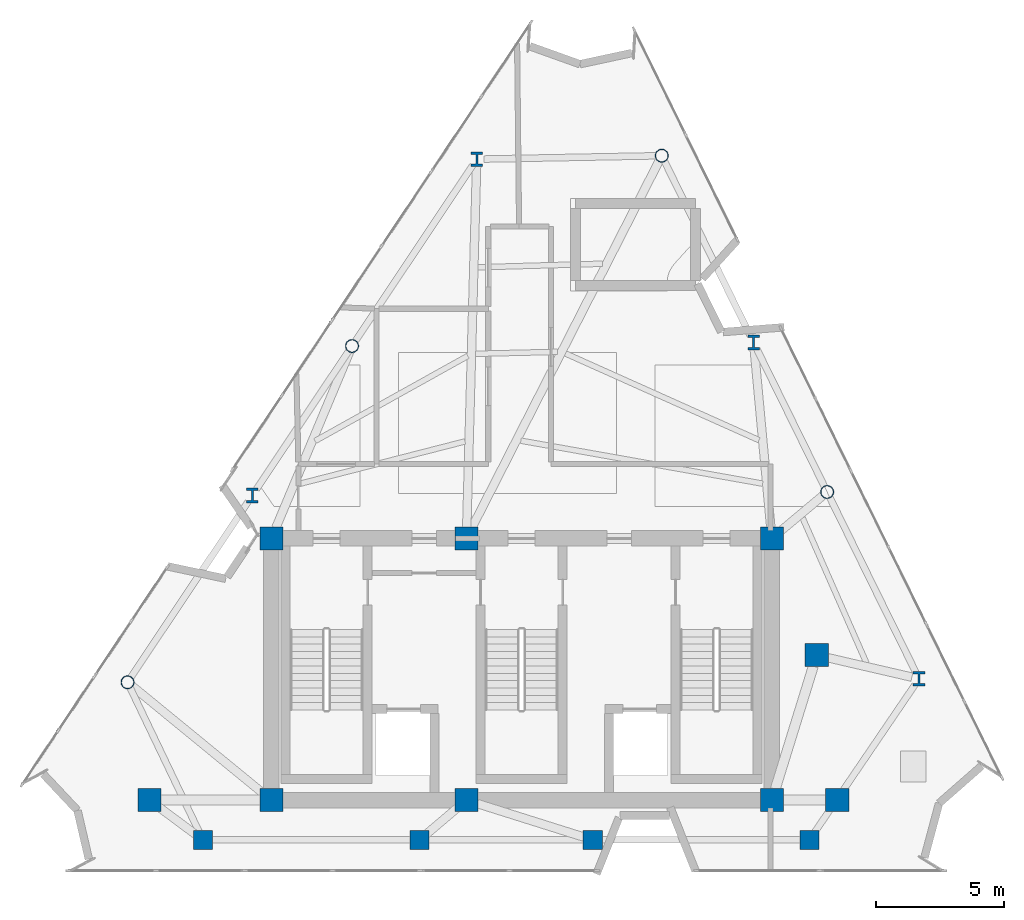
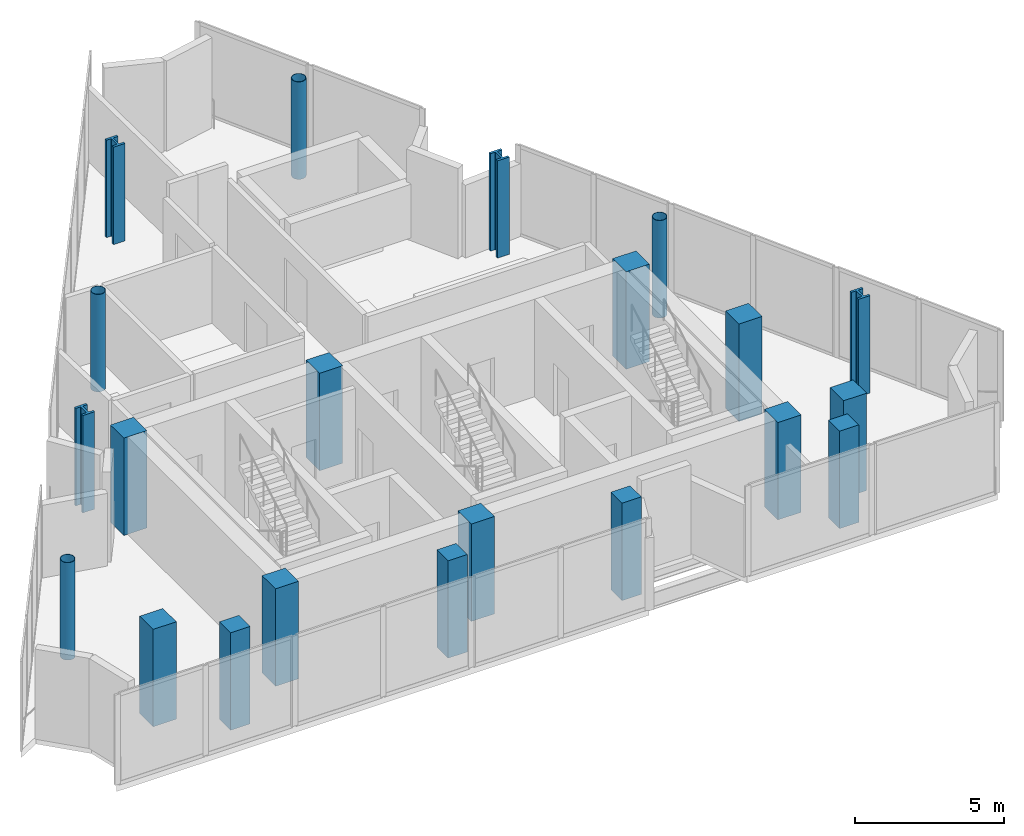
# One storey, part 1 of 9: 21 columns.
"""IFC4 building model written with IfcOpenShell, lengths in metres."""

from ifc_helpers import new_model, si_unit, direction, frame, origin, origin_2d, place, context, subcontext, project, spatial, rectangle, hollow_circle, i_section, extrude, material, material_profile, profile_set, type_object, element, save


model = new_model("IFC4")

# Units and contexts
model_context = context("Model", 3, precision=1e-05, world=origin(), true_north=direction((0.0, 1.0)))
body_context = subcontext(model_context, "Body", "Model", "MODEL_VIEW")
ifc_project = project(units=[si_unit("LENGTHUNIT", "METRE"), si_unit("AREAUNIT", "SQUARE_METRE"), si_unit("VOLUMEUNIT", "CUBIC_METRE"), si_unit("PLANEANGLEUNIT", "RADIAN"), si_unit("MASSUNIT", "GRAM", prefix="KILO")], contexts=[model_context])

# Site, building, storey
site_placement = place(None, origin())
site = spatial("IfcSite", under=ifc_project, at=site_placement, CompositionType="ELEMENT")
building_placement = place(site_placement, origin())
building = spatial("IfcBuilding", under=site, at=building_placement, Name="Almagre Mirador Tower", CompositionType="ELEMENT")
storey_placement = place(building_placement, frame((0.0, 0.0, 306.5)))
storey = spatial("IfcBuildingStorey", under=building, at=storey_placement, Name="L79", CompositionType="ELEMENT", Elevation=306.5)

# Columns
ifc_material_1 = material(Name="Concrete C60/75", Category="concrete")
ifc_material_profile_1 = material_profile(ifc_material_1, rectangle(XDim=0.75, YDim=0.75, at=origin_2d()), Name="RC750X750")
ifc_profile_set_1 = profile_set([ifc_material_profile_1], Name="Concrete C60/75")
column_type_1 = type_object("IfcColumnType", Name="COL-RC750", PredefinedType="COLUMN", material=ifc_profile_set_1)
for number, where, z_axis, x_axis, name in (
    (1, (24.884033203125, 3.0, 0.0), (0.0, 0.0, 1.0), (1.0, 0.0, 0.0), "L79 perimeter column PC01"),
    (2, (33.323974609375, 3.0, 0.0), (0.0, 0.0, 1.0), (1.0, 0.0, 0.0), "L79 perimeter column PC02"),
    (3, (40.075927734375, 3.0, 0.0), (0.0, 0.0, 1.0), (1.0, 0.0, 0.0), "L79 perimeter column PC03"),
    (4, (48.51611328125, 3.0, 0.0), (0.0, 0.0, 1.0), (1.0, 0.0, 0.0), "L79 perimeter column PC04"),
):
    element("IfcColumn", number, at=place(storey_placement, frame(where, z_axis=z_axis, x_axis=x_axis)), inside=storey, type_object=column_type_1, Name=name, PredefinedType="COLUMN", context=body_context, shape_type="SweptSolid", body=[
        extrude(rectangle(XDim=0.75, YDim=0.75, at=origin_2d()), origin(), (0.0, 0.0, 1.0), 4.0),
    ])
ifc_material_2 = material(Name="Concrete C60/75", Category="concrete")
ifc_material_profile_2 = material_profile(ifc_material_2, rectangle(XDim=0.89990234375, YDim=0.89990234375, at=origin_2d()), Name="RC900X900")
ifc_profile_set_2 = profile_set([ifc_material_profile_2], Name="Concrete C60/75")
column_type_2 = type_object("IfcColumnType", Name="COL-RC900", PredefinedType="COLUMN", material=ifc_profile_set_2)
for number, where, z_axis, x_axis, name in (
    (5, (27.550048828125, 4.550048828125, 0.0), (0.0, 0.0, 1.0), (1.0, 0.0, 0.0), "L79 core spine column CC1"),
    (6, (35.14990234375, 4.550048828125, 0.0), (0.0, 0.0, 1.0), (1.0, 0.0, 0.0), "L79 core spine column CC2"),
    (7, (47.050048828125, 4.550048828125, 0.0), (0.0, 0.0, 1.0), (1.0, 0.0, 0.0), "L79 core spine column CC3"),
    (8, (27.550048828125, 14.75, 0.0), (0.0, 0.0, 1.0), (1.0, 0.0, 0.0), "L79 core spine column CC4"),
    (9, (35.14990234375, 14.75, 0.0), (0.0, 0.0, 1.0), (1.0, 0.0, 0.0), "L79 core spine column CC5"),
    (10, (47.050048828125, 14.75, 0.0), (0.0, 0.0, 1.0), (1.0, 0.0, 0.0), "L79 core spine column CC6"),
    (11, (22.800048828125, 4.550048828125, 0.0), (0.0, 0.0, 1.0), (1.0, 0.0, 0.0), "L79 interior transfer column MC1"),
    (12, (49.60009765625, 4.550048828125, 0.0), (0.0, 0.0, 1.0), (1.0, 0.0, 0.0), "L79 interior transfer column MC2"),
    (13, (48.800048828125, 10.199951171875, 0.0), (0.0, 0.0, 1.0), (1.0, 0.0, 0.0), "L79 interior transfer column MC3"),
):
    element("IfcColumn", number, at=place(storey_placement, frame(where, z_axis=z_axis, x_axis=x_axis)), inside=storey, type_object=column_type_2, Name=name, PredefinedType="COLUMN", context=body_context, shape_type="SweptSolid", body=[
        extrude(rectangle(XDim=0.89990234375, YDim=0.89990234375, at=origin_2d()), origin(), (0.0, 0.0, 1.0), 4.0),
    ])
ifc_material_3 = material(Name="Steel ASTM A500 Grade C", Category="steel")
ifc_material_profile_3 = material_profile(ifc_material_3, hollow_circle(Radius=0.25390625, WallThickness=0.01611328125, at=origin_2d()), Name="CHS508X16")
ifc_profile_set_3 = profile_set([ifc_material_profile_3], Name="Steel ASTM A500 Grade C")
column_type_3 = type_object("IfcColumnType", Name="COL-STL-CHS508", PredefinedType="COLUMN", material=ifc_profile_set_3)
for number, where, z_axis, x_axis, name in (
    (14, (49.205078125, 16.55810546875, 0.0), (0.0, 0.0, 1.0), (1.0, 0.0, 0.0), "L79 perimeter column PC06"),
    (15, (42.760986328125, 29.662109375, 0.0), (0.0, 0.0, 1.0), (1.0, 0.0, 0.0), "L79 perimeter column PC08"),
    (16, (30.69189453125, 22.24609375, 0.0), (0.0, 0.0, 1.0), (1.0, 0.0, 0.0), "L79 perimeter column PC10"),
    (17, (21.944091796875, 9.14208984375, 0.0), (0.0, 0.0, 1.0), (1.0, 0.0, 0.0), "L79 perimeter column PC12"),
):
    element("IfcColumn", number, at=place(storey_placement, frame(where, z_axis=z_axis, x_axis=x_axis)), inside=storey, type_object=column_type_3, Name=name, PredefinedType="COLUMN", context=body_context, shape_type="SweptSolid", body=[
        extrude(hollow_circle(Radius=0.25390625, WallThickness=0.01611328125, at=origin_2d()), origin(), (0.0, 0.0, 1.0), 4.0),
    ])
ifc_material_4 = material(Name="Steel ASTM A992 Grade 50", Category="steel")
ifc_material_profile_4 = material_profile(ifc_material_4, i_section(OverallWidth=0.4541015625, OverallDepth=0.570068359375, WebThickness=0.077880859375, FlangeThickness=0.093994140625, FilletRadius=0.02001953125, at=origin_2d()), Name="W14X730")
ifc_profile_set_4 = profile_set([ifc_material_profile_4], Name="Steel ASTM A992 Grade 50")
column_type_4 = type_object("IfcColumnType", Name="COL-STL-W14X730", PredefinedType="COLUMN", material=ifc_profile_set_4)
for number, where, z_axis, x_axis, name in (
    (18, (52.784912109375, 9.278076171875, 0.0), (0.0, 0.0, 1.0), (1.0, 0.0, 0.0), "L79 perimeter column PC05"),
    (19, (46.341064453125, 22.382080078125, 0.0), (0.0, 0.0, 1.0), (1.0, 0.0, 0.0), "L79 perimeter column PC07"),
    (20, (35.552001953125, 29.52587890625, 0.0), (0.0, 0.0, 1.0), (1.0, 0.0, 0.0), "L79 perimeter column PC09"),
    (21, (26.803955078125, 16.422119140625, 0.0), (0.0, 0.0, 1.0), (1.0, 0.0, 0.0), "L79 perimeter column PC11"),
):
    element("IfcColumn", number, at=place(storey_placement, frame(where, z_axis=z_axis, x_axis=x_axis)), inside=storey, type_object=column_type_4, Name=name, PredefinedType="COLUMN", context=body_context, shape_type="SweptSolid", body=[
        extrude(i_section(OverallWidth=0.4541015625, OverallDepth=0.570068359375, WebThickness=0.077880859375, FlangeThickness=0.093994140625, FilletRadius=0.02001953125, at=origin_2d()), origin(), (0.0, 0.0, 1.0), 4.0),
    ])

save(model, "model.ifc")
